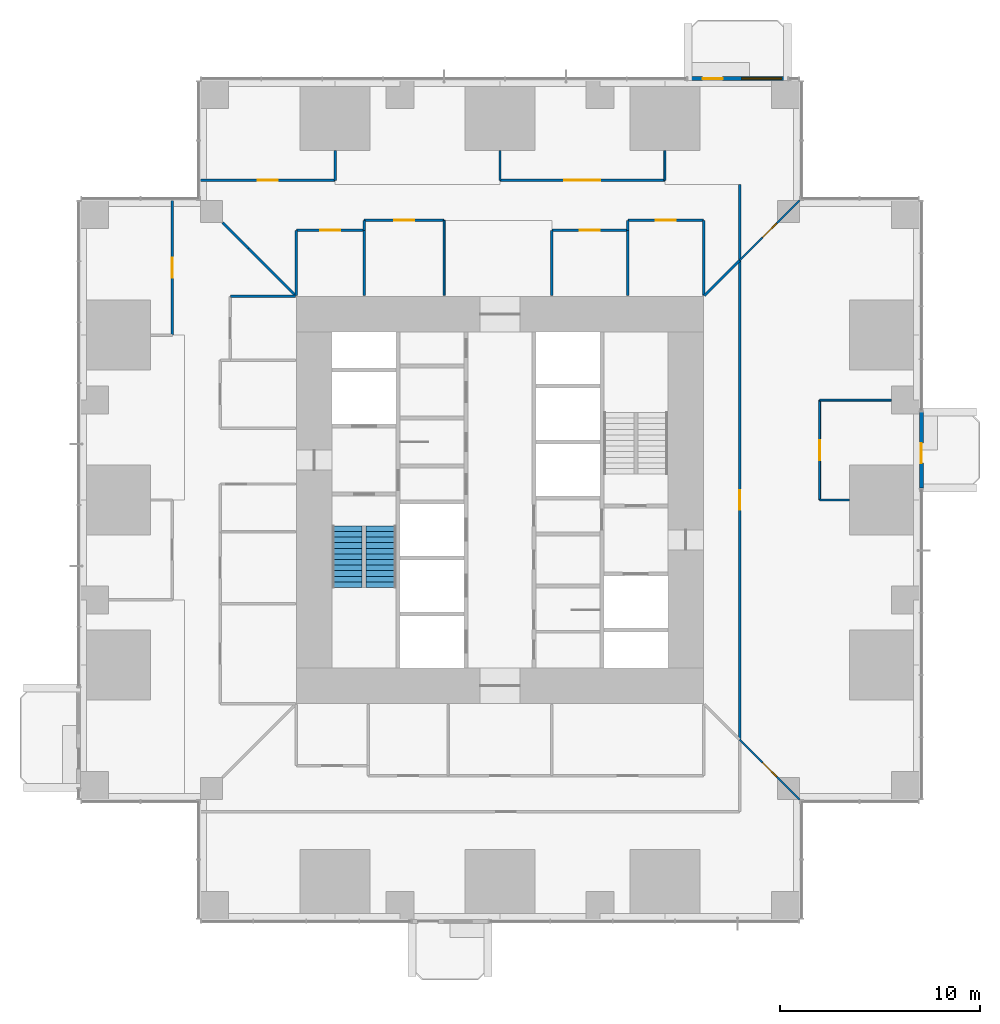
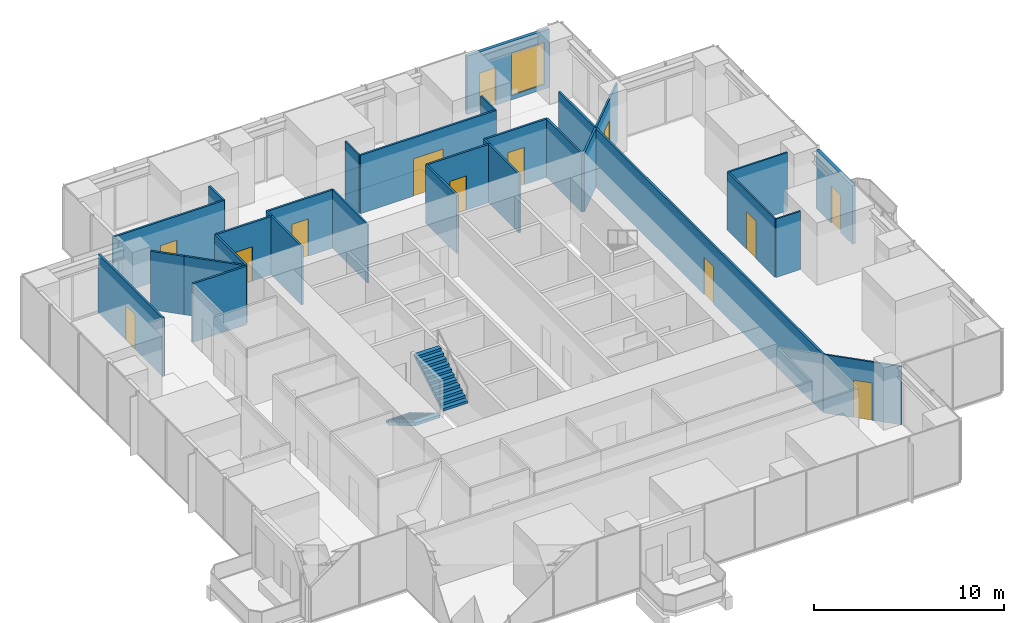
# One storey, part 13 of 17: 31 walls, 13 doors, 2 stair flights, 1 window, 14 openings, 1 element without a shape of its own.
"""IFC4 building model written with IfcOpenShell, lengths in metres."""

from ifc_helpers import new_model, si_unit, direction, frame, frame_2d, origin, place, context, subcontext, project, spatial, polyline, rectangle, outline, extrude, material, layer, layer_set, type_object, element, fill, aggregate, save


model = new_model("IFC4")

# Units and contexts
model_context = context("Model", 3, precision=1e-05, world=origin(), true_north=direction((0.0, 1.0)))
body_context = subcontext(model_context, "Body", "Model", "MODEL_VIEW")
ifc_project = project(units=[si_unit("LENGTHUNIT", "METRE"), si_unit("AREAUNIT", "SQUARE_METRE"), si_unit("VOLUMEUNIT", "CUBIC_METRE"), si_unit("PLANEANGLEUNIT", "RADIAN"), si_unit("MASSUNIT", "GRAM", prefix="KILO")], contexts=[model_context])

# Site, building, storey
site_placement = place(None, origin())
site = spatial("IfcSite", under=ifc_project, at=site_placement, CompositionType="ELEMENT")
building_placement = place(site_placement, origin())
building = spatial("IfcBuilding", under=site, at=building_placement, Name="Svetlomir Tower", CompositionType="ELEMENT")
storey_placement = place(building_placement, frame((0.0, 0.0, 38.5)))
storey = spatial("IfcBuildingStorey", under=building, at=storey_placement, Name="L08", CompositionType="ELEMENT", Elevation=38.5)

# Wall, opening, door
ifc_material_1 = material(Name="Bronze anodised aluminium glazed screen", Category="aluminium")
ifc_layer_1 = layer(ifc_material_1, 0.199951171875)
ifc_layer_set_1 = layer_set([ifc_layer_1], Name="Bronze anodised aluminium glazed screen")
wall_type_1 = type_object("IfcWallType", Name="BALCONY SCREEN WALL 200", PredefinedType="USERDEFINED", material=ifc_layer_set_1)
wall_1_placement = place(storey_placement, frame((42.10009765625, 21.60009765625, 0.0), z_axis=(0.0, 0.0, 1.0), x_axis=(0.0, 1.0, 0.0)))
wall_1 = element("IfcWall", 1, at=wall_1_placement, inside=storey, type_object=wall_type_1, Name="Balcony screen E", ObjectType="GLAZED SCREEN", PredefinedType="USERDEFINED", context=body_context, shape_type="SweptSolid", body=[
    extrude(rectangle(XDim=3.7998046875, YDim=0.199951171875, at=frame_2d((1.89990234375, 0.0))), origin(), (0.0, 0.0, 1.0), 3.75),
])
opening_1_placement = place(wall_1_placement, frame((1.25, 0.0, 0.0)))
opening_1 = element("IfcOpeningElement", 2, at=opening_1_placement, cuts=wall_1, Name="Opening BD", PredefinedType="OPENING", context=body_context, shape_type="SweptSolid", body=[
    extrude(rectangle(XDim=1.0, YDim=2.39990234375, at=frame_2d((0.5, 1.199951171875))), frame((0.0, 0.10986328125, 0.0), z_axis=(0.0, -1.0, 0.0), x_axis=(1.0, 0.0, 0.0)), (0.0, 0.0, 1.0), 0.219970703125),
])
ifc_material_2 = material(Name="Bronze anodised aluminium glazed door", Category="aluminium")
door_type_1 = type_object("IfcDoorType", Name="BALCONY DOOR BD 1000x2400", OperationType="SINGLE_SWING_LEFT", PredefinedType="DOOR", material=ifc_material_2)
door_1_placement = place(opening_1_placement, origin())
door_1 = element("IfcDoor", 3, at=door_1_placement, inside=storey, type_object=door_type_1, Name="Balcony screen E door", OperationType="SINGLE_SWING_LEFT", OverallHeight=2.39990234375, OverallWidth=1.0, PredefinedType="DOOR", context=body_context, shape_type="SweptSolid", body=[
    extrude(rectangle(XDim=1.0, YDim=2.39990234375, at=frame_2d((0.5, 1.199951171875))), frame((0.0, 0.02490234375, 0.0), z_axis=(0.0, -1.0, 0.0), x_axis=(1.0, 0.0, 0.0)), (0.0, 0.0, 1.0), 0.050048828125),
])
fill(opening_1, door_1)

# Wall, openings, door, window
wall_2_placement = place(storey_placement, frame((35.39990234375, 42.10009765625, 0.0), z_axis=(0.0, 0.0, 1.0), x_axis=(-1.0, 0.0, 0.0)))
wall_2 = element("IfcWall", 4, at=wall_2_placement, inside=storey, type_object=wall_type_1, Name="Balcony screen N", ObjectType="GLAZED SCREEN", PredefinedType="USERDEFINED", context=body_context, shape_type="SweptSolid", body=[
    extrude(rectangle(XDim=5.0, YDim=0.199951171875, at=frame_2d((2.5, 0.0))), origin(), (0.0, 0.0, 1.0), 3.75),
])
opening_2_placement = place(wall_2_placement, frame((3.25, 0.0, 0.0)))
opening_2 = element("IfcOpeningElement", 5, at=opening_2_placement, cuts=wall_2, Name="Opening BD", PredefinedType="OPENING", context=body_context, shape_type="SweptSolid", body=[
    extrude(rectangle(XDim=1.0, YDim=2.39990234375, at=frame_2d((0.5, 1.199951171875))), frame((0.0, 0.10986328125, 0.0), z_axis=(0.0, -1.0, 0.0), x_axis=(1.0, 0.0, 0.0)), (0.0, 0.0, 1.0), 0.219970703125),
])
opening_3_placement = place(wall_2_placement, frame((0.300048828125, 0.0, 0.300048828125)))
opening_3 = element("IfcOpeningElement", 6, at=opening_3_placement, cuts=wall_2, Name="Opening WS", PredefinedType="OPENING", context=body_context, shape_type="SweptSolid", body=[
    extrude(rectangle(XDim=2.0, YDim=2.699951171875, at=frame_2d((1.0, 1.35009765625))), frame((0.0, 0.10986328125, 0.0), z_axis=(0.0, -1.0, 0.0), x_axis=(1.0, 0.0, 0.0)), (0.0, 0.0, 1.0), 0.219970703125),
])
door_2_placement = place(opening_2_placement, origin())
door_2 = element("IfcDoor", 7, at=door_2_placement, inside=storey, type_object=door_type_1, Name="Balcony screen N door", OperationType="SINGLE_SWING_LEFT", OverallHeight=2.39990234375, OverallWidth=1.0, PredefinedType="DOOR", context=body_context, shape_type="SweptSolid", body=[
    extrude(rectangle(XDim=1.0, YDim=2.39990234375, at=frame_2d((0.5, 1.199951171875))), frame((0.0, 0.02490234375, 0.0), z_axis=(0.0, -1.0, 0.0), x_axis=(1.0, 0.0, 0.0)), (0.0, 0.0, 1.0), 0.050048828125),
])
fill(opening_2, door_2)
ifc_material_3 = material(Name="Bronze anodised aluminium window", Category="aluminium")
window_type = type_object("IfcWindowType", Name="SCREEN WINDOW WS 2000x2700", PartitioningType="SINGLE_PANEL", PredefinedType="WINDOW", material=ifc_material_3)
window_placement = place(opening_3_placement, origin())
window = element("IfcWindow", 8, at=window_placement, inside=storey, type_object=window_type, Name="Balcony screen N window 1", OverallHeight=2.699951171875, OverallWidth=2.0, PartitioningType="SINGLE_PANEL", PredefinedType="WINDOW", context=body_context, shape_type="SweptSolid", body=[
    extrude(rectangle(XDim=2.0, YDim=2.699951171875, at=frame_2d((1.0, 1.35009765625))), frame((0.0, 0.030029296875, 0.0), z_axis=(0.0, -1.0, 0.0), x_axis=(1.0, 0.0, 0.0)), (0.0, 0.0, 1.0), 0.06005859375),
])
fill(opening_3, window)

# Walls
ifc_material_4 = material(Name="Framed laminated glass partition", Category="glass")
ifc_layer_2 = layer(ifc_material_4, 0.10009765625)
ifc_layer_set_2 = layer_set([ifc_layer_2], Name="Framed laminated glass partition")
wall_type_2 = type_object("IfcWallType", Name="GLAZED PARTITION 100", PredefinedType="PARTITIONING", material=ifc_layer_set_2)
wall_3_placement = place(storey_placement, frame((18.199951171875, 31.25, 0.0), z_axis=(0.0, 0.0, 1.0), x_axis=(0.0, 1.0, 0.0)))
element("IfcWall", 9, at=wall_3_placement, inside=storey, type_object=wall_type_2, Name="Glazed partition L08", PredefinedType="PARTITIONING", context=body_context, shape_type="SweptSolid", body=[
    extrude(rectangle(XDim=3.75, YDim=0.10009765625, at=frame_2d((1.875, 0.0))), origin(), (0.0, 0.0, 1.0), 3.75),
])
for number, where, z_axis, x_axis, name in (
    (10, (21.0, 37.0, 0.0), (0.0, 0.0, 1.0), (0.0, 1.0, 0.0), "Glazed partition L08"),
    (11, (29.25, 37.0, 0.0), (0.0, 0.0, 1.0), (0.0, 1.0, 0.0), "Glazed partition L08"),
):
    element("IfcWall", number, at=place(storey_placement, frame(where, z_axis=z_axis, x_axis=x_axis)), inside=storey, type_object=wall_type_2, Name=name, PredefinedType="PARTITIONING", context=body_context, shape_type="SweptSolid", body=[
        extrude(rectangle(XDim=1.489990234375, YDim=0.10009765625, at=frame_2d((0.7451171875, 0.0))), origin(), (0.0, 0.0, 1.0), 3.75),
    ])

# Wall, opening, door
wall_4_placement = place(storey_placement, frame((37.0, 21.0, 0.0), z_axis=(0.0, 0.0, 1.0), x_axis=(0.0, 1.0, 0.0)))
wall_4 = element("IfcWall", 12, at=wall_4_placement, inside=storey, type_object=wall_type_2, Name="Glazed partition L08", PredefinedType="PARTITIONING", context=body_context, shape_type="SweptSolid", body=[
    extrude(rectangle(XDim=5.0, YDim=0.10009765625, at=frame_2d((2.5, 0.0))), origin(), (0.0, 0.0, 1.0), 3.75),
])
opening_4_placement = place(wall_4_placement, frame((2.0, 0.0, 0.0)))
opening_4 = element("IfcOpeningElement", 13, at=opening_4_placement, cuts=wall_4, Name="Opening DG", PredefinedType="OPENING", context=body_context, shape_type="SweptSolid", body=[
    extrude(rectangle(XDim=1.0, YDim=2.39990234375, at=frame_2d((0.5, 1.199951171875))), frame((0.0, 0.06005859375, 0.0), z_axis=(0.0, -1.0, 0.0), x_axis=(1.0, 0.0, 0.0)), (0.0, 0.0, 1.0), 0.1201171875),
])
ifc_material_5 = material(Name="Framed laminated glass door", Category="glass")
door_type_2 = type_object("IfcDoorType", Name="GLAZED DOOR DG 1000x2400", OperationType="SINGLE_SWING_LEFT", PredefinedType="DOOR", material=ifc_material_5)
door_3_placement = place(opening_4_placement, origin())
door_3 = element("IfcDoor", 14, at=door_3_placement, inside=storey, type_object=door_type_2, Name="Dealers' break-out and kitchenette door L08", OperationType="SINGLE_SWING_LEFT", OverallHeight=2.39990234375, OverallWidth=1.0, PredefinedType="DOOR", context=body_context, shape_type="SweptSolid", body=[
    extrude(rectangle(XDim=1.0, YDim=2.39990234375, at=frame_2d((0.5, 1.199951171875))), frame((0.0, 0.02490234375, 0.0), z_axis=(0.0, -1.0, 0.0), x_axis=(1.0, 0.0, 0.0)), (0.0, 0.0, 1.0), 0.050048828125),
])
fill(opening_4, door_3)

# Walls
wall_5_placement = place(storey_placement, frame((37.0, 21.0, 0.0), z_axis=(0.0, 0.0, 1.0), x_axis=(1.0, 0.0, 0.0)))
element("IfcWall", 15, at=wall_5_placement, inside=storey, type_object=wall_type_2, Name="Glazed partition L08", PredefinedType="PARTITIONING", context=body_context, shape_type="SweptSolid", body=[
    extrude(rectangle(XDim=1.489990234375, YDim=0.10009765625, at=frame_2d((0.7451171875, 0.0))), origin(), (0.0, 0.0, 1.0), 3.75),
])
wall_6_placement = place(storey_placement, frame((37.0, 26.0, 0.0), z_axis=(0.0, 0.0, 1.0), x_axis=(1.0, 0.0, 0.0)))
element("IfcWall", 16, at=wall_6_placement, inside=storey, type_object=wall_type_2, Name="Glazed partition L08", PredefinedType="PARTITIONING", context=body_context, shape_type="SweptSolid", body=[
    extrude(rectangle(XDim=3.590087890625, YDim=0.10009765625, at=frame_2d((1.794921875, 0.0))), origin(), (0.0, 0.0, 1.0), 3.75),
])

# Wall, opening, door
wall_7_placement = place(storey_placement, frame((33.0, 9.0, 0.0), z_axis=(0.0, 0.0, 1.0), x_axis=(0.707106781187, -0.707106781187, 0.0)))
wall_7 = element("IfcWall", 17, at=wall_7_placement, inside=storey, type_object=wall_type_2, Name="Glazed screen L08", PredefinedType="PARTITIONING", context=body_context, shape_type="SweptSolid", body=[
    extrude(rectangle(XDim=4.24267578125, YDim=0.10009765625, at=frame_2d((2.121337890625, 0.0))), origin(), (0.0, 0.0, 1.0), 3.75),
])
opening_5_placement = place(wall_7_placement, frame((1.621337890625, 0.0, 0.0)))
opening_5 = element("IfcOpeningElement", 18, at=opening_5_placement, cuts=wall_7, Name="Opening DG", PredefinedType="OPENING", context=body_context, shape_type="SweptSolid", body=[
    extrude(rectangle(XDim=1.0, YDim=2.39990234375, at=frame_2d((0.5, 1.199951171875))), frame((0.0, 0.06005859375, 0.0), z_axis=(0.0, -1.0, 0.0), x_axis=(1.0, 0.0, 0.0)), (0.0, 0.0, 1.0), 0.1201171875),
])
door_4_placement = place(opening_5_placement, origin())
door_4 = element("IfcDoor", 19, at=door_4_placement, inside=storey, type_object=door_type_2, Name="Glazed screen door L08", OperationType="SINGLE_SWING_RIGHT", OverallHeight=2.39990234375, OverallWidth=1.0, PredefinedType="DOOR", context=body_context, shape_type="SweptSolid", body=[
    extrude(rectangle(XDim=1.0, YDim=2.39990234375, at=frame_2d((0.5, 1.199951171875))), frame((0.0, 0.02490234375, 0.0), z_axis=(0.0, -1.0, 0.0), x_axis=(1.0, 0.0, 0.0)), (0.0, 0.0, 1.0), 0.050048828125),
])
fill(opening_5, door_4)

wall_8_placement = place(storey_placement, frame((33.0, 33.0, 0.0), z_axis=(0.0, 0.0, 1.0), x_axis=(0.707106781187, 0.707106781187, 0.0)))
wall_8 = element("IfcWall", 20, at=wall_8_placement, inside=storey, type_object=wall_type_2, Name="Glazed screen L08", PredefinedType="PARTITIONING", context=body_context, shape_type="SweptSolid", body=[
    extrude(rectangle(XDim=4.24267578125, YDim=0.10009765625, at=frame_2d((2.121337890625, 0.0))), origin(), (0.0, 0.0, 1.0), 3.75),
])
opening_6_placement = place(wall_8_placement, frame((1.621337890625, 0.0, 0.0)))
opening_6 = element("IfcOpeningElement", 21, at=opening_6_placement, cuts=wall_8, Name="Opening DG", PredefinedType="OPENING", context=body_context, shape_type="SweptSolid", body=[
    extrude(rectangle(XDim=1.0, YDim=2.39990234375, at=frame_2d((0.5, 1.199951171875))), frame((0.0, 0.06005859375, 0.0), z_axis=(0.0, -1.0, 0.0), x_axis=(1.0, 0.0, 0.0)), (0.0, 0.0, 1.0), 0.1201171875),
])
door_5_placement = place(opening_6_placement, origin())
door_5 = element("IfcDoor", 22, at=door_5_placement, inside=storey, type_object=door_type_2, Name="Glazed screen door L08", OperationType="SINGLE_SWING_RIGHT", OverallHeight=2.39990234375, OverallWidth=1.0, PredefinedType="DOOR", context=body_context, shape_type="SweptSolid", body=[
    extrude(rectangle(XDim=1.0, YDim=2.39990234375, at=frame_2d((0.5, 1.199951171875))), frame((0.0, 0.02490234375, 0.0), z_axis=(0.0, -1.0, 0.0), x_axis=(1.0, 0.0, 0.0)), (0.0, 0.0, 1.0), 0.050048828125),
])
fill(opening_6, door_5)

ifc_material_6 = material(Name="Gypsum board on steel studs", Category="steel")
ifc_layer_3 = layer(ifc_material_6, 0.1201171875)
ifc_layer_set_3 = layer_set([ifc_layer_3], Name="Gypsum board on steel studs")
wall_type_3 = type_object("IfcWallType", Name="PARTITION 120", PredefinedType="PARTITIONING", material=ifc_layer_set_3)
wall_9_placement = place(storey_placement, frame((4.60009765625, 29.25, 0.0), z_axis=(0.0, 0.0, 1.0), x_axis=(0.0, 1.0, 0.0)))
wall_9 = element("IfcWall", 23, at=wall_9_placement, inside=storey, type_object=wall_type_3, Name="Partition L08", PredefinedType="PARTITIONING", context=body_context, shape_type="SweptSolid", body=[
    extrude(rectangle(XDim=6.75, YDim=0.1201171875, at=frame_2d((3.375, 0.0))), origin(), (0.0, 0.0, 1.0), 3.75),
])
opening_7_placement = place(wall_9_placement, frame((2.875, 0.0, 0.0)))
opening_7 = element("IfcOpeningElement", 24, at=opening_7_placement, cuts=wall_9, Name="Opening DR", PredefinedType="OPENING", context=body_context, shape_type="SweptSolid", body=[
    extrude(rectangle(XDim=1.0, YDim=2.199951171875, at=frame_2d((0.5, 1.10009765625))), frame((0.0, 0.070068359375, 0.0), z_axis=(0.0, -1.0, 0.0), x_axis=(1.0, 0.0, 0.0)), (0.0, 0.0, 1.0), 0.14013671875),
])
ifc_material_7 = material(Name="Timber door, glazed side light", Category="wood")
door_type_3 = type_object("IfcDoorType", Name="DOOR DR 1000x2200", OperationType="SINGLE_SWING_LEFT", PredefinedType="DOOR", material=ifc_material_7)
door_6_placement = place(opening_7_placement, origin())
door_6 = element("IfcDoor", 25, at=door_6_placement, inside=storey, type_object=door_type_3, Name="Treasury operations office door L08", OperationType="SINGLE_SWING_LEFT", OverallHeight=2.199951171875, OverallWidth=1.0, PredefinedType="DOOR", context=body_context, shape_type="SweptSolid", body=[
    extrude(rectangle(XDim=1.0, YDim=2.199951171875, at=frame_2d((0.5, 1.10009765625))), frame((0.0, 0.02490234375, 0.0), z_axis=(0.0, -1.0, 0.0), x_axis=(1.0, 0.0, 0.0)), (0.0, 0.0, 1.0), 0.050048828125),
])
fill(opening_7, door_6)

wall_10_placement = place(storey_placement, frame((6.0, 37.0, 0.0), z_axis=(0.0, 0.0, 1.0), x_axis=(1.0, 0.0, 0.0)))
wall_10 = element("IfcWall", 26, at=wall_10_placement, inside=storey, type_object=wall_type_3, Name="Partition L08", PredefinedType="PARTITIONING", context=body_context, shape_type="SweptSolid", body=[
    extrude(rectangle(XDim=6.75, YDim=0.1201171875, at=frame_2d((3.375, 0.0))), origin(), (0.0, 0.0, 1.0), 3.75),
])
opening_8_placement = place(wall_10_placement, frame((2.875, 0.0, 0.0)))
opening_8 = element("IfcOpeningElement", 27, at=opening_8_placement, cuts=wall_10, Name="Opening DR", PredefinedType="OPENING", context=body_context, shape_type="SweptSolid", body=[
    extrude(rectangle(XDim=1.0, YDim=2.199951171875, at=frame_2d((0.5, 1.10009765625))), frame((0.0, 0.070068359375, 0.0), z_axis=(0.0, -1.0, 0.0), x_axis=(1.0, 0.0, 0.0)), (0.0, 0.0, 1.0), 0.14013671875),
])
door_7_placement = place(opening_8_placement, origin())
door_7 = element("IfcDoor", 28, at=door_7_placement, inside=storey, type_object=door_type_3, Name="Head of treasury office door L08", OperationType="SINGLE_SWING_RIGHT", OverallHeight=2.199951171875, OverallWidth=1.0, PredefinedType="DOOR", context=body_context, shape_type="SweptSolid", body=[
    extrude(rectangle(XDim=1.0, YDim=2.199951171875, at=frame_2d((0.5, 1.10009765625))), frame((0.0, 0.02490234375, 0.0), z_axis=(0.0, -1.0, 0.0), x_axis=(1.0, 0.0, 0.0)), (0.0, 0.0, 1.0), 0.050048828125),
])
fill(opening_8, door_7)

# Walls
wall_11_placement = place(storey_placement, frame((7.110107421875, 34.889892578125, 0.0), z_axis=(0.0, 0.0, 1.0), x_axis=(0.707106781187, -0.707106781187, 0.0)))
element("IfcWall", 29, at=wall_11_placement, inside=storey, type_object=wall_type_3, Name="Partition L08", PredefinedType="PARTITIONING", context=body_context, shape_type="SweptSolid", body=[
    extrude(rectangle(XDim=1.822021484375, YDim=0.1201171875, at=frame_2d((0.9111328125, 0.0))), origin(), (0.0, 0.0, 1.0), 3.75),
])
wall_12_placement = place(storey_placement, frame((7.5, 31.199951171875, 0.0), z_axis=(0.0, 0.0, 1.0), x_axis=(1.0, 0.0, 0.0)))
element("IfcWall", 30, at=wall_12_placement, inside=storey, type_object=wall_type_3, Name="Partition L08", PredefinedType="PARTITIONING", context=body_context, shape_type="SweptSolid", body=[
    extrude(rectangle(XDim=3.25, YDim=0.1201171875, at=frame_2d((1.625, 0.0))), origin(), (0.0, 0.0, 1.0), 3.75),
])
wall_13_placement = place(storey_placement, frame((8.3984375, 33.6015625, 0.0), z_axis=(0.0, 0.0, 1.0), x_axis=(0.707106781187, -0.707106781187, 0.0)))
element("IfcWall", 31, at=wall_13_placement, inside=storey, type_object=wall_type_3, Name="Partition L08", PredefinedType="PARTITIONING", context=body_context, shape_type="SweptSolid", body=[
    extrude(rectangle(XDim=3.346435546875, YDim=0.1201171875, at=frame_2d((1.67333984375, 0.0))), origin(), (0.0, 0.0, 1.0), 3.75),
])
wall_14_placement = place(storey_placement, frame((10.800048828125, 31.25, 0.0), z_axis=(0.0, 0.0, 1.0), x_axis=(0.0, 1.0, 0.0)))
element("IfcWall", 32, at=wall_14_placement, inside=storey, type_object=wall_type_3, Name="Partition L08", PredefinedType="PARTITIONING", context=body_context, shape_type="SweptSolid", body=[
    extrude(rectangle(XDim=3.25, YDim=0.1201171875, at=frame_2d((1.625, 0.0))), origin(), (0.0, 0.0, 1.0), 3.75),
])

# Wall, opening, door
wall_15_placement = place(storey_placement, frame((10.800048828125, 34.5, 0.0), z_axis=(0.0, 0.0, 1.0), x_axis=(1.0, 0.0, 0.0)))
wall_15 = element("IfcWall", 33, at=wall_15_placement, inside=storey, type_object=wall_type_3, Name="Partition L08", PredefinedType="PARTITIONING", context=body_context, shape_type="SweptSolid", body=[
    extrude(rectangle(XDim=3.39990234375, YDim=0.1201171875, at=frame_2d((1.699951171875, 0.0))), origin(), (0.0, 0.0, 1.0), 3.75),
])
opening_9_placement = place(wall_15_placement, frame((1.199951171875, 0.0, 0.0)))
opening_9 = element("IfcOpeningElement", 34, at=opening_9_placement, cuts=wall_15, Name="Opening DR", PredefinedType="OPENING", context=body_context, shape_type="SweptSolid", body=[
    extrude(rectangle(XDim=1.0, YDim=2.199951171875, at=frame_2d((0.5, 1.10009765625))), frame((0.0, 0.070068359375, 0.0), z_axis=(0.0, -1.0, 0.0), x_axis=(1.0, 0.0, 0.0)), (0.0, 0.0, 1.0), 0.14013671875),
])
door_8_placement = place(opening_9_placement, origin())
door_8 = element("IfcDoor", 35, at=door_8_placement, inside=storey, type_object=door_type_3, Name="Trade recording room door L08", OperationType="SINGLE_SWING_LEFT", OverallHeight=2.199951171875, OverallWidth=1.0, PredefinedType="DOOR", context=body_context, shape_type="SweptSolid", body=[
    extrude(rectangle(XDim=1.0, YDim=2.199951171875, at=frame_2d((0.5, 1.10009765625))), frame((0.0, 0.02490234375, 0.0), z_axis=(0.0, -1.0, 0.0), x_axis=(1.0, 0.0, 0.0)), (0.0, 0.0, 1.0), 0.050048828125),
])
fill(opening_9, door_8)

# Walls
wall_16_placement = place(storey_placement, frame((12.75, 37.0, 0.0), z_axis=(0.0, 0.0, 1.0), x_axis=(0.0, 1.0, 0.0)))
element("IfcWall", 36, at=wall_16_placement, inside=storey, type_object=wall_type_3, Name="Partition L08", PredefinedType="PARTITIONING", context=body_context, shape_type="SweptSolid", body=[
    extrude(rectangle(XDim=1.489990234375, YDim=0.1201171875, at=frame_2d((0.7451171875, 0.0))), origin(), (0.0, 0.0, 1.0), 3.75),
])
wall_17_placement = place(storey_placement, frame((14.199951171875, 31.25, 0.0), z_axis=(0.0, 0.0, 1.0), x_axis=(0.0, 1.0, 0.0)))
element("IfcWall", 37, at=wall_17_placement, inside=storey, type_object=wall_type_3, Name="Partition L08", PredefinedType="PARTITIONING", context=body_context, shape_type="SweptSolid", body=[
    extrude(rectangle(XDim=3.25, YDim=0.1201171875, at=frame_2d((1.625, 0.0))), origin(), (0.0, 0.0, 1.0), 3.75),
])
wall_18_placement = place(storey_placement, frame((14.199951171875, 34.5, 0.0), z_axis=(0.0, 0.0, 1.0), x_axis=(0.0, 1.0, 0.0)))
element("IfcWall", 38, at=wall_18_placement, inside=storey, type_object=wall_type_3, Name="Partition L08", PredefinedType="PARTITIONING", context=body_context, shape_type="SweptSolid", body=[
    extrude(rectangle(XDim=0.5, YDim=0.1201171875, at=frame_2d((0.25, 0.0))), origin(), (0.0, 0.0, 1.0), 3.75),
])

# Wall, opening, door
wall_19_placement = place(storey_placement, frame((14.199951171875, 35.0, 0.0), z_axis=(0.0, 0.0, 1.0), x_axis=(1.0, 0.0, 0.0)))
wall_19 = element("IfcWall", 39, at=wall_19_placement, inside=storey, type_object=wall_type_3, Name="Partition L08", PredefinedType="PARTITIONING", context=body_context, shape_type="SweptSolid", body=[
    extrude(rectangle(XDim=4.0, YDim=0.1201171875, at=frame_2d((2.0, 0.0))), origin(), (0.0, 0.0, 1.0), 3.75),
])
opening_10_placement = place(wall_19_placement, frame((1.5, 0.0, 0.0)))
opening_10 = element("IfcOpeningElement", 40, at=opening_10_placement, cuts=wall_19, Name="Opening DG", PredefinedType="OPENING", context=body_context, shape_type="SweptSolid", body=[
    extrude(rectangle(XDim=1.0, YDim=2.39990234375, at=frame_2d((0.5, 1.199951171875))), frame((0.0, 0.070068359375, 0.0), z_axis=(0.0, -1.0, 0.0), x_axis=(1.0, 0.0, 0.0)), (0.0, 0.0, 1.0), 0.14013671875),
])
door_9_placement = place(opening_10_placement, origin())
door_9 = element("IfcDoor", 41, at=door_9_placement, inside=storey, type_object=door_type_2, Name="Meeting room, 6 seats door L08", OperationType="SINGLE_SWING_RIGHT", OverallHeight=2.39990234375, OverallWidth=1.0, PredefinedType="DOOR", context=body_context, shape_type="SweptSolid", body=[
    extrude(rectangle(XDim=1.0, YDim=2.39990234375, at=frame_2d((0.5, 1.199951171875))), frame((0.0, 0.02490234375, 0.0), z_axis=(0.0, -1.0, 0.0), x_axis=(1.0, 0.0, 0.0)), (0.0, 0.0, 1.0), 0.050048828125),
])
fill(opening_10, door_9)

wall_20_placement = place(storey_placement, frame((21.0, 37.0, 0.0), z_axis=(0.0, 0.0, 1.0), x_axis=(1.0, 0.0, 0.0)))
wall_20 = element("IfcWall", 42, at=wall_20_placement, inside=storey, type_object=wall_type_3, Name="Partition L08", PredefinedType="PARTITIONING", context=body_context, shape_type="SweptSolid", body=[
    extrude(rectangle(XDim=8.25, YDim=0.1201171875, at=frame_2d((4.125, 0.0))), origin(), (0.0, 0.0, 1.0), 3.75),
])
opening_11_placement = place(wall_20_placement, frame((3.22509765625, 0.0, 0.0)))
opening_11 = element("IfcOpeningElement", 43, at=opening_11_placement, cuts=wall_20, Name="Opening DD", PredefinedType="OPENING", context=body_context, shape_type="SweptSolid", body=[
    extrude(rectangle(XDim=1.800048828125, YDim=2.39990234375, at=frame_2d((0.89990234375, 1.199951171875))), frame((0.0, 0.070068359375, 0.0), z_axis=(0.0, -1.0, 0.0), x_axis=(1.0, 0.0, 0.0)), (0.0, 0.0, 1.0), 0.14013671875),
])
ifc_material_8 = material(Name="Timber door", Category="wood")
door_type_4 = type_object("IfcDoorType", Name="DOOR DD 1800x2400", OperationType="DOUBLE_DOOR_SINGLE_SWING", PredefinedType="DOOR", material=ifc_material_8)
door_10_placement = place(opening_11_placement, origin())
door_10 = element("IfcDoor", 44, at=door_10_placement, inside=storey, type_object=door_type_4, Name="Treasury committee room, 16 seats door L08", OperationType="DOUBLE_DOOR_SINGLE_SWING", OverallHeight=2.39990234375, OverallWidth=1.800048828125, PredefinedType="DOOR", context=body_context, shape_type="SweptSolid", body=[
    extrude(rectangle(XDim=1.800048828125, YDim=2.39990234375, at=frame_2d((0.89990234375, 1.199951171875))), frame((0.0, 0.02490234375, 0.0), z_axis=(0.0, -1.0, 0.0), x_axis=(1.0, 0.0, 0.0)), (0.0, 0.0, 1.0), 0.050048828125),
])
fill(opening_11, door_10)

# Wall
wall_21_placement = place(storey_placement, frame((23.60009765625, 31.25, 0.0), z_axis=(0.0, 0.0, 1.0), x_axis=(0.0, 1.0, 0.0)))
element("IfcWall", 45, at=wall_21_placement, inside=storey, type_object=wall_type_3, Name="Partition L08", PredefinedType="PARTITIONING", context=body_context, shape_type="SweptSolid", body=[
    extrude(rectangle(XDim=3.25, YDim=0.1201171875, at=frame_2d((1.625, 0.0))), origin(), (0.0, 0.0, 1.0), 3.75),
])

# Wall, opening, door
wall_22_placement = place(storey_placement, frame((23.60009765625, 34.5, 0.0), z_axis=(0.0, 0.0, 1.0), x_axis=(1.0, 0.0, 0.0)))
wall_22 = element("IfcWall", 46, at=wall_22_placement, inside=storey, type_object=wall_type_3, Name="Partition L08", PredefinedType="PARTITIONING", context=body_context, shape_type="SweptSolid", body=[
    extrude(rectangle(XDim=3.7998046875, YDim=0.1201171875, at=frame_2d((1.89990234375, 0.0))), origin(), (0.0, 0.0, 1.0), 3.75),
])
opening_12_placement = place(wall_22_placement, frame((1.39990234375, 0.0, 0.0)))
opening_12 = element("IfcOpeningElement", 47, at=opening_12_placement, cuts=wall_22, Name="Opening DR", PredefinedType="OPENING", context=body_context, shape_type="SweptSolid", body=[
    extrude(rectangle(XDim=1.0, YDim=2.199951171875, at=frame_2d((0.5, 1.10009765625))), frame((0.0, 0.070068359375, 0.0), z_axis=(0.0, -1.0, 0.0), x_axis=(1.0, 0.0, 0.0)), (0.0, 0.0, 1.0), 0.14013671875),
])
door_11_placement = place(opening_12_placement, origin())
door_11 = element("IfcDoor", 48, at=door_11_placement, inside=storey, type_object=door_type_3, Name="Dealers' locker room door L08", OperationType="SINGLE_SWING_LEFT", OverallHeight=2.199951171875, OverallWidth=1.0, PredefinedType="DOOR", context=body_context, shape_type="SweptSolid", body=[
    extrude(rectangle(XDim=1.0, YDim=2.199951171875, at=frame_2d((0.5, 1.10009765625))), frame((0.0, 0.02490234375, 0.0), z_axis=(0.0, -1.0, 0.0), x_axis=(1.0, 0.0, 0.0)), (0.0, 0.0, 1.0), 0.050048828125),
])
fill(opening_12, door_11)

# Walls
wall_23_placement = place(storey_placement, frame((27.39990234375, 31.25, 0.0), z_axis=(0.0, 0.0, 1.0), x_axis=(0.0, 1.0, 0.0)))
element("IfcWall", 49, at=wall_23_placement, inside=storey, type_object=wall_type_3, Name="Partition L08", PredefinedType="PARTITIONING", context=body_context, shape_type="SweptSolid", body=[
    extrude(rectangle(XDim=3.25, YDim=0.1201171875, at=frame_2d((1.625, 0.0))), origin(), (0.0, 0.0, 1.0), 3.75),
])
wall_24_placement = place(storey_placement, frame((27.39990234375, 34.5, 0.0), z_axis=(0.0, 0.0, 1.0), x_axis=(0.0, 1.0, 0.0)))
element("IfcWall", 50, at=wall_24_placement, inside=storey, type_object=wall_type_3, Name="Partition L08", PredefinedType="PARTITIONING", context=body_context, shape_type="SweptSolid", body=[
    extrude(rectangle(XDim=0.5, YDim=0.1201171875, at=frame_2d((0.25, 0.0))), origin(), (0.0, 0.0, 1.0), 3.75),
])

# Wall, opening, door
wall_25_placement = place(storey_placement, frame((27.39990234375, 35.0, 0.0), z_axis=(0.0, 0.0, 1.0), x_axis=(1.0, 0.0, 0.0)))
wall_25 = element("IfcWall", 51, at=wall_25_placement, inside=storey, type_object=wall_type_3, Name="Partition L08", PredefinedType="PARTITIONING", context=body_context, shape_type="SweptSolid", body=[
    extrude(rectangle(XDim=3.800048828125, YDim=0.1201171875, at=frame_2d((1.89990234375, 0.0))), origin(), (0.0, 0.0, 1.0), 3.75),
])
opening_13_placement = place(wall_25_placement, frame((1.39990234375, 0.0, 0.0)))
opening_13 = element("IfcOpeningElement", 52, at=opening_13_placement, cuts=wall_25, Name="Opening DG", PredefinedType="OPENING", context=body_context, shape_type="SweptSolid", body=[
    extrude(rectangle(XDim=1.0, YDim=2.39990234375, at=frame_2d((0.5, 1.199951171875))), frame((0.0, 0.070068359375, 0.0), z_axis=(0.0, -1.0, 0.0), x_axis=(1.0, 0.0, 0.0)), (0.0, 0.0, 1.0), 0.14013671875),
])
door_12_placement = place(opening_13_placement, origin())
door_12 = element("IfcDoor", 53, at=door_12_placement, inside=storey, type_object=door_type_2, Name="Focus room door L08", OperationType="SINGLE_SWING_LEFT", OverallHeight=2.39990234375, OverallWidth=1.0, PredefinedType="DOOR", context=body_context, shape_type="SweptSolid", body=[
    extrude(rectangle(XDim=1.0, YDim=2.39990234375, at=frame_2d((0.5, 1.199951171875))), frame((0.0, 0.02490234375, 0.0), z_axis=(0.0, -1.0, 0.0), x_axis=(1.0, 0.0, 0.0)), (0.0, 0.0, 1.0), 0.050048828125),
])
fill(opening_13, door_12)

# Walls
wall_26_placement = place(storey_placement, frame((31.199951171875, 31.25, 0.0), z_axis=(0.0, 0.0, 1.0), x_axis=(0.0, 1.0, 0.0)))
element("IfcWall", 54, at=wall_26_placement, inside=storey, type_object=wall_type_3, Name="Partition L08", PredefinedType="PARTITIONING", context=body_context, shape_type="SweptSolid", body=[
    extrude(rectangle(XDim=3.75, YDim=0.1201171875, at=frame_2d((1.875, 0.0))), origin(), (0.0, 0.0, 1.0), 3.75),
])
wall_27_placement = place(storey_placement, frame((31.2353515625, 31.2353515625, 0.0), z_axis=(0.0, 0.0, 1.0), x_axis=(0.707106781187, 0.707106781187, 0.0)))
element("IfcWall", 55, at=wall_27_placement, inside=storey, type_object=wall_type_3, Name="Partition L08", PredefinedType="PARTITIONING", context=body_context, shape_type="SweptSolid", body=[
    extrude(rectangle(XDim=2.4814453125, YDim=0.1201171875, at=frame_2d((1.24072265625, 0.0))), origin(), (0.0, 0.0, 1.0), 3.75),
])

# Wall, opening, door
wall_28_placement = place(storey_placement, frame((33.0, 9.010009765625, 0.0), z_axis=(0.0, 0.0, 1.0), x_axis=(0.0, 1.0, 0.0)))
wall_28 = element("IfcWall", 56, at=wall_28_placement, inside=storey, type_object=wall_type_3, Name="Partition L08", PredefinedType="PARTITIONING", context=body_context, shape_type="SweptSolid", body=[
    extrude(rectangle(XDim=23.97998046875, YDim=0.1201171875, at=frame_2d((11.989990234375, 0.0))), origin(), (0.0, 0.0, 1.0), 3.75),
])
opening_14_placement = place(wall_28_placement, frame((11.489990234375, 0.0, 0.0)))
opening_14 = element("IfcOpeningElement", 57, at=opening_14_placement, cuts=wall_28, Name="Opening DG", PredefinedType="OPENING", context=body_context, shape_type="SweptSolid", body=[
    extrude(rectangle(XDim=1.0, YDim=2.39990234375, at=frame_2d((0.5, 1.199951171875))), frame((0.0, 0.070068359375, 0.0), z_axis=(0.0, -1.0, 0.0), x_axis=(1.0, 0.0, 0.0)), (0.0, 0.0, 1.0), 0.14013671875),
])
door_13_placement = place(opening_14_placement, origin())
door_13 = element("IfcDoor", 58, at=door_13_placement, inside=storey, type_object=door_type_2, Name="Ring corridor 2 door 1 L08", OperationType="SINGLE_SWING_LEFT", OverallHeight=2.39990234375, OverallWidth=1.0, PredefinedType="DOOR", context=body_context, shape_type="SweptSolid", body=[
    extrude(rectangle(XDim=1.0, YDim=2.39990234375, at=frame_2d((0.5, 1.199951171875))), frame((0.0, 0.02490234375, 0.0), z_axis=(0.0, -1.0, 0.0), x_axis=(1.0, 0.0, 0.0)), (0.0, 0.0, 1.0), 0.050048828125),
])
fill(opening_14, door_13)

# Wall
wall_29_placement = place(storey_placement, frame((33.0, 33.010009765625, 0.0), z_axis=(0.0, 0.0, 1.0), x_axis=(0.0, 1.0, 0.0)))
element("IfcWall", 59, at=wall_29_placement, inside=storey, type_object=wall_type_3, Name="Partition L08", PredefinedType="PARTITIONING", context=body_context, shape_type="SweptSolid", body=[
    extrude(rectangle(XDim=3.7900390625, YDim=0.1201171875, at=frame_2d((1.89501953125, 0.0))), origin(), (0.0, 0.0, 1.0), 3.75),
])

# Stair, stair flights
ifc_material_9 = material(Name="Concrete C60/75", Category="concrete")
stair_type = type_object("IfcStairType", Name="EXIT STAIR 3200 RISE 4000", PredefinedType="HALF_TURN_STAIR", material=ifc_material_9)
stair_placement = place(storey_placement, origin())
stair = element("IfcStair", 60, at=stair_placement, inside=storey, type_object=stair_type, Name="Stair S1 L08 to L09", PredefinedType="HALF_TURN_STAIR")
ifc_material_10 = material(Name="Concrete C60/75", Category="concrete")
stair_flight_type = type_object("IfcStairFlightType", Name="STAIR FLIGHT 1500 OF 12 RISERS", PredefinedType="STRAIGHT", material=ifc_material_10)
stair_flight_1_placement = place(storey_placement, frame((13.35009765625, 19.699951171875, 0.0), z_axis=(0.0, 0.0, 1.0), x_axis=(0.0, -1.0, 0.0)))
stair_flight_1 = element("IfcStairFlight", 61, at=stair_flight_1_placement, type_object=stair_flight_type, Name="S1 flight 1", NumberOfRisers=12, NumberOfTreads=11, PredefinedType="STRAIGHT", RiserHeight=0.166666667, TreadLength=0.28, context=body_context, shape_type="SweptSolid", body=[
    extrude(outline(polyline([(0.0, 0.0), (0.0, 0.166748046875), (0.280029296875, 0.166748046875), (0.280029296875, 0.333251953125), (0.56005859375, 0.333251953125), (0.56005859375, 0.5), (0.840087890625, 0.5), (0.840087890625, 0.666748046875), (1.1201171875, 0.666748046875), (1.1201171875, 0.833251953125), (1.39990234375, 0.833251953125), (1.39990234375, 1.0), (1.679931640625, 1.0), (1.679931640625, 1.166748046875), (1.9599609375, 1.166748046875), (1.9599609375, 1.333251953125), (2.239990234375, 1.333251953125), (2.239990234375, 1.5), (2.52001953125, 1.5), (2.52001953125, 1.666748046875), (2.800048828125, 1.666748046875), (2.800048828125, 1.833251953125), (3.080078125, 1.833251953125), (3.080078125, 2.0), (3.080078125, 1.658935546875), (0.29296875, 0.0), (0.0, 0.0)])), frame((0.0, 0.75, 0.0), z_axis=(0.0, -1.0, 0.0), x_axis=(1.0, 0.0, 0.0)), (0.0, 0.0, 1.0), 1.5),
])
stair_flight_2_placement = place(storey_placement, frame((15.050048828125, 16.6201171875, 2.0), z_axis=(0.0, 0.0, 1.0), x_axis=(0.0, 1.0, 0.0)))
stair_flight_2 = element("IfcStairFlight", 62, at=stair_flight_2_placement, type_object=stair_flight_type, Name="S1 flight 2", NumberOfRisers=12, NumberOfTreads=11, PredefinedType="STRAIGHT", RiserHeight=0.166666667, TreadLength=0.28, context=body_context, shape_type="SweptSolid", body=[
    extrude(outline(polyline([(0.0, 0.0), (0.0, 0.166748046875), (0.280029296875, 0.166748046875), (0.280029296875, 0.333251953125), (0.56005859375, 0.333251953125), (0.56005859375, 0.5), (0.840087890625, 0.5), (0.840087890625, 0.666748046875), (1.1201171875, 0.666748046875), (1.1201171875, 0.833251953125), (1.39990234375, 0.833251953125), (1.39990234375, 1.0), (1.679931640625, 1.0), (1.679931640625, 1.166748046875), (1.9599609375, 1.166748046875), (1.9599609375, 1.333251953125), (2.239990234375, 1.333251953125), (2.239990234375, 1.5), (2.52001953125, 1.5), (2.52001953125, 1.666748046875), (2.800048828125, 1.666748046875), (2.800048828125, 1.833251953125), (3.080078125, 1.833251953125), (3.080078125, 2.0), (3.080078125, 1.658935546875), (0.29296875, 0.0), (0.0, 0.0)])), frame((0.0, 0.75, 0.0), z_axis=(0.0, -1.0, 0.0), x_axis=(1.0, 0.0, 0.0)), (0.0, 0.0, 1.0), 1.5),
])
aggregate(stair, [stair_flight_1, stair_flight_2])

save(model, "model.ifc")
